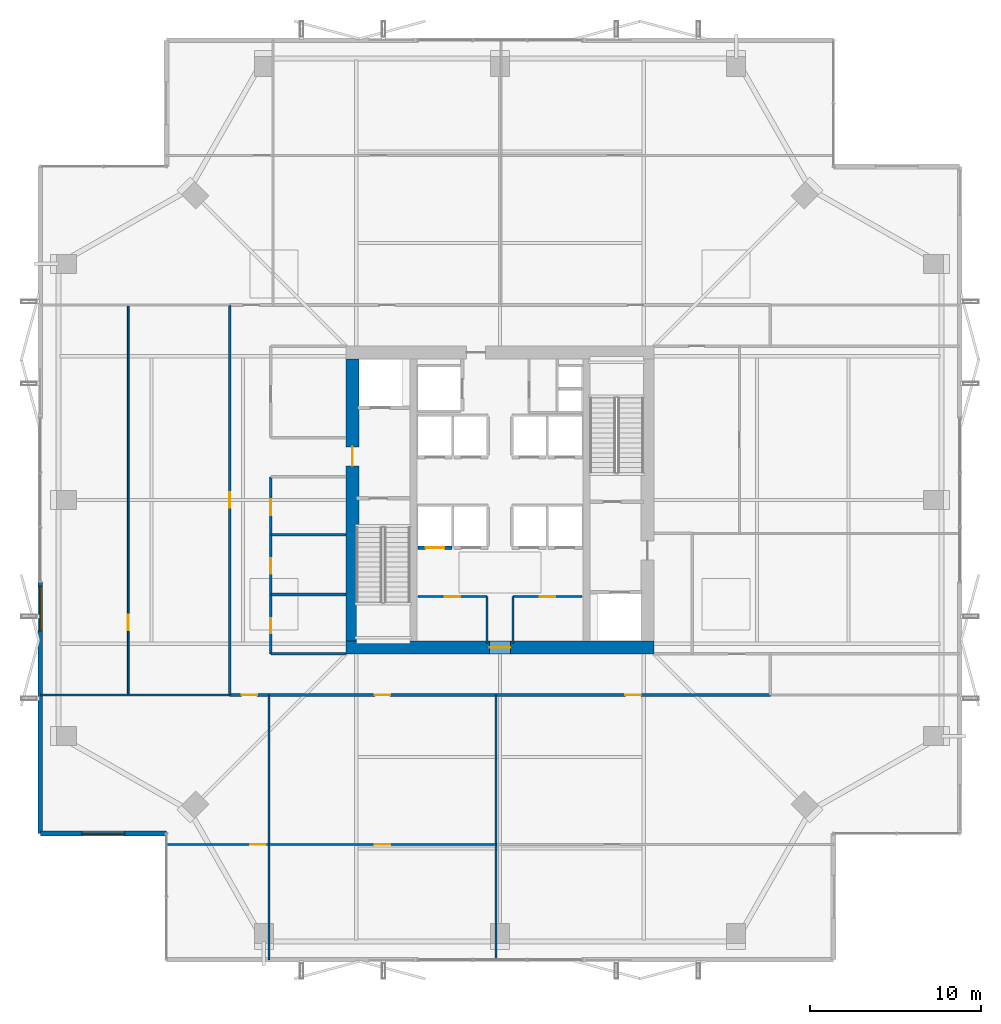
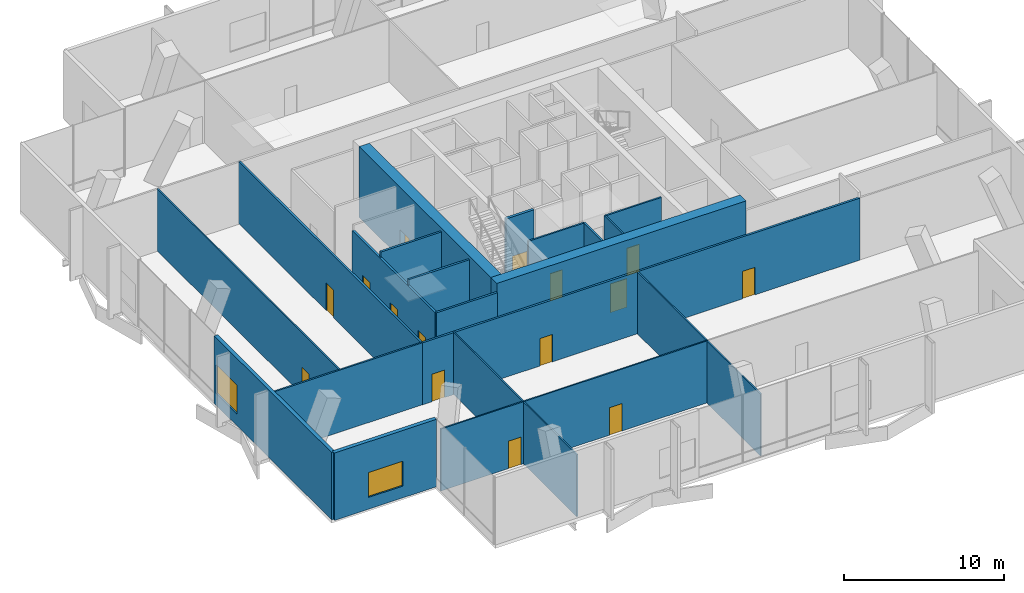
# One storey, part 29 of 33: 21 walls, 15 doors, 2 windows, 17 openings.
"""IFC4 building model written with IfcOpenShell, lengths in metres."""

from ifc_helpers import new_model, si_unit, direction, frame, frame_2d, origin, place, context, subcontext, project, spatial, rectangle, extrude, material, layer, layer_set, type_object, element, fill, save


model = new_model("IFC4")

# Units and contexts
model_context = context("Model", 3, precision=1e-05, world=origin(), true_north=direction((0.0, 1.0)))
body_context = subcontext(model_context, "Body", "Model", "MODEL_VIEW")
ifc_project = project(units=[si_unit("LENGTHUNIT", "METRE"), si_unit("AREAUNIT", "SQUARE_METRE"), si_unit("VOLUMEUNIT", "CUBIC_METRE"), si_unit("PLANEANGLEUNIT", "RADIAN"), si_unit("MASSUNIT", "GRAM", prefix="KILO")], contexts=[model_context])

# Site, building, storey
site_placement = place(None, origin())
site = spatial("IfcSite", under=ifc_project, at=site_placement, CompositionType="ELEMENT")
building_placement = place(site_placement, origin())
building = spatial("IfcBuilding", under=site, at=building_placement, Name="Belovzor Exchange Tower", CompositionType="ELEMENT")
storey_placement = place(building_placement, frame((0.0, 0.0, 241.199951171875)))
storey = spatial("IfcBuildingStorey", under=building, at=storey_placement, Name="L60", CompositionType="ELEMENT", Elevation=241.199951171875)

# Wall
ifc_material_1 = material(Name="Acoustic Plasterboard on Galvanised Studs", Category="gypsum")
ifc_layer_1 = layer(ifc_material_1, 0.1201171875)
ifc_layer_set_1 = layer_set([ifc_layer_1], Name="Acoustic Plasterboard on Galvanised Studs")
wall_type_1 = type_object("IfcWallType", Name="Acoustic Double-Stud Partition Wall 120", PredefinedType="PARTITIONING", material=ifc_layer_set_1)
wall_1_placement = place(storey_placement, frame((1.929931640625, 17.39990234375, 0.0), z_axis=(0.0, 0.0, 1.0), x_axis=(1.0, 0.0, 0.0)))
element("IfcWall", 1, at=wall_1_placement, inside=storey, type_object=wall_type_1, Name="W-P120 Partition Wall W-L60-END-SW", PredefinedType="PARTITIONING", context=body_context, shape_type="SweptSolid", body=[
    extrude(rectangle(XDim=11.070068359375, YDim=0.1201171875, at=frame_2d((5.53515625, 0.0))), origin(), (0.0, 0.0, 1.0), 4.735107421875),
])

# Wall, opening, door
ifc_material_2 = material(Name="Acoustic Laminated Glass and Aluminium", Category="aluminium")
ifc_layer_2 = layer(ifc_material_2, 0.10009765625)
ifc_layer_set_2 = layer_set([ifc_layer_2], Name="Acoustic Laminated Glass and Aluminium")
wall_type_2 = type_object("IfcWallType", Name="Demountable Executive Glass Partition 100", PredefinedType="MOVABLE", material=ifc_layer_set_2)
wall_2_placement = place(storey_placement, frame((9.300048828125, 8.6650390625, 0.0), z_axis=(0.0, 0.0, 1.0), x_axis=(1.0, 0.0, 0.0)))
wall_2 = element("IfcWall", 2, at=wall_2_placement, inside=storey, type_object=wall_type_2, Name="W-M100 Partition Wall W-L60-SHDIV-0", PredefinedType="MOVABLE", context=body_context, shape_type="SweptSolid", body=[
    extrude(rectangle(XDim=6.0, YDim=0.10009765625, at=frame_2d((3.0, 0.0))), origin(), (0.0, 0.0, 1.0), 4.735107421875),
])
opening_1_placement = place(wall_2_placement, frame((4.89990234375, 0.0, 0.0)))
opening_1 = element("IfcOpeningElement", 3, at=opening_1_placement, cuts=wall_2, Name="Opening D-INT-090", PredefinedType="OPENING", context=body_context, shape_type="SweptSolid", body=[
    extrude(rectangle(XDim=0.89990234375, YDim=2.10009765625, at=frame_2d((0.449951171875, 1.050048828125))), frame((0.0, 0.06005859375, 0.0), z_axis=(0.0, -1.0, 0.0), x_axis=(1.0, 0.0, 0.0)), (0.0, 0.0, 1.0), 0.1201171875),
])
ifc_material_3 = material(Name="Veneered Hardwood Acoustic Leaf", Category="wood")
door_type_1 = type_object("IfcDoorType", Name="Trading Suite Acoustic Single Door 900x2100", OperationType="NOTDEFINED", PredefinedType="DOOR", material=ifc_material_3)
door_1_placement = place(opening_1_placement, origin())
door_1 = element("IfcDoor", 4, at=door_1_placement, inside=storey, type_object=door_type_1, Name="D-INT-090 Trading Suite Acoustic Single Door 900x2100", OperationType="SINGLE_SWING_LEFT", OverallHeight=2.10009765625, OverallWidth=0.89990234375, PredefinedType="DOOR", context=body_context, shape_type="SweptSolid", body=[
    extrude(rectangle(XDim=0.89990234375, YDim=2.10009765625, at=frame_2d((0.449951171875, 1.050048828125))), frame((0.0, 0.02490234375, 0.0), z_axis=(0.0, -1.0, 0.0), x_axis=(1.0, 0.0, 0.0)), (0.0, 0.0, 1.0), 0.050048828125),
])
fill(opening_1, door_1)

# Wall
wall_3_placement = place(storey_placement, frame((15.300048828125, 1.929931640625, 0.0), z_axis=(0.0, 0.0, 1.0), x_axis=(0.0, 1.0, 0.0)))
element("IfcWall", 5, at=wall_3_placement, inside=storey, type_object=wall_type_2, Name="W-M100 Partition Wall W-L60-SDIV-1", PredefinedType="MOVABLE", context=body_context, shape_type="SweptSolid", body=[
    extrude(rectangle(XDim=15.469970703125, YDim=0.10009765625, at=frame_2d((7.73486328125, 0.0))), origin(), (0.0, 0.0, 1.0), 4.735107421875),
])

# Wall, opening, door
wall_4_placement = place(storey_placement, frame((15.300048828125, 8.6650390625, 0.0), z_axis=(0.0, 0.0, 1.0), x_axis=(1.0, 0.0, 0.0)))
wall_4 = element("IfcWall", 6, at=wall_4_placement, inside=storey, type_object=wall_type_2, Name="W-M100 Partition Wall W-L60-SHDIV-1", PredefinedType="MOVABLE", context=body_context, shape_type="SweptSolid", body=[
    extrude(rectangle(XDim=13.265869140625, YDim=0.10009765625, at=frame_2d((6.6328125, 0.0))), origin(), (0.0, 0.0, 1.0), 4.735107421875),
])
opening_2_placement = place(wall_4_placement, frame((6.18310546875, 0.0, 0.0)))
opening_2 = element("IfcOpeningElement", 7, at=opening_2_placement, cuts=wall_4, Name="Opening D-INT-090", PredefinedType="OPENING", context=body_context, shape_type="SweptSolid", body=[
    extrude(rectangle(XDim=0.89990234375, YDim=2.10009765625, at=frame_2d((0.449951171875, 1.050048828125))), frame((0.0, 0.06005859375, 0.0), z_axis=(0.0, -1.0, 0.0), x_axis=(1.0, 0.0, 0.0)), (0.0, 0.0, 1.0), 0.1201171875),
])
door_2_placement = place(opening_2_placement, origin())
door_2 = element("IfcDoor", 8, at=door_2_placement, inside=storey, type_object=door_type_1, Name="D-INT-090 Trading Suite Acoustic Single Door 900x2100", OperationType="SINGLE_SWING_LEFT", OverallHeight=2.10009765625, OverallWidth=0.89990234375, PredefinedType="DOOR", context=body_context, shape_type="SweptSolid", body=[
    extrude(rectangle(XDim=0.89990234375, YDim=2.10009765625, at=frame_2d((0.449951171875, 1.050048828125))), frame((0.0, 0.02490234375, 0.0), z_axis=(0.0, -1.0, 0.0), x_axis=(1.0, 0.0, 0.0)), (0.0, 0.0, 1.0), 0.050048828125),
])
fill(opening_2, door_2)

# Wall
wall_5_placement = place(storey_placement, frame((28.56591796875, 1.929931640625, 0.0), z_axis=(0.0, 0.0, 1.0), x_axis=(0.0, 1.0, 0.0)))
element("IfcWall", 9, at=wall_5_placement, inside=storey, type_object=wall_type_2, Name="W-M100 Partition Wall W-L60-SDIV-2", PredefinedType="MOVABLE", context=body_context, shape_type="SweptSolid", body=[
    extrude(rectangle(XDim=15.469970703125, YDim=0.10009765625, at=frame_2d((7.73486328125, 0.0))), origin(), (0.0, 0.0, 1.0), 4.735107421875),
])

# Wall, opening, door
wall_6_placement = place(storey_placement, frame((7.072998046875, 17.39990234375, 0.0), z_axis=(0.0, 0.0, 1.0), x_axis=(0.0, 1.0, 0.0)))
wall_6 = element("IfcWall", 10, at=wall_6_placement, inside=storey, type_object=wall_type_2, Name="W-M100 Partition Wall W-L60-WHDIV-0", PredefinedType="MOVABLE", context=body_context, shape_type="SweptSolid", body=[
    extrude(rectangle(XDim=22.800048828125, YDim=0.10009765625, at=frame_2d((11.39990234375, 0.0))), origin(), (0.0, 0.0, 1.0), 4.735107421875),
])
opening_3_placement = place(wall_6_placement, frame((3.782958984375, 0.0, 0.0)))
opening_3 = element("IfcOpeningElement", 11, at=opening_3_placement, cuts=wall_6, Name="Opening D-INT-090", PredefinedType="OPENING", context=body_context, shape_type="SweptSolid", body=[
    extrude(rectangle(XDim=0.89990234375, YDim=2.10009765625, at=frame_2d((0.449951171875, 1.050048828125))), frame((0.0, 0.06005859375, 0.0), z_axis=(0.0, -1.0, 0.0), x_axis=(1.0, 0.0, 0.0)), (0.0, 0.0, 1.0), 0.1201171875),
])
door_3_placement = place(opening_3_placement, origin())
door_3 = element("IfcDoor", 12, at=door_3_placement, inside=storey, type_object=door_type_1, Name="D-INT-090 Trading Suite Acoustic Single Door 900x2100", OperationType="SINGLE_SWING_LEFT", OverallHeight=2.10009765625, OverallWidth=0.89990234375, PredefinedType="DOOR", context=body_context, shape_type="SweptSolid", body=[
    extrude(rectangle(XDim=0.89990234375, YDim=2.10009765625, at=frame_2d((0.449951171875, 1.050048828125))), frame((0.0, 0.02490234375, 0.0), z_axis=(0.0, -1.0, 0.0), x_axis=(1.0, 0.0, 0.0)), (0.0, 0.0, 1.0), 0.050048828125),
])
fill(opening_3, door_3)

ifc_material_4 = material(Name="Fire-Rated Plasterboard on Galvanised Studs", Category="gypsum")
ifc_layer_3 = layer(ifc_material_4, 0.1201171875)
ifc_layer_set_3 = layer_set([ifc_layer_3], Name="Fire-Rated Plasterboard on Galvanised Studs")
wall_type_3 = type_object("IfcWallType", Name="Fire-Rated Double-Stud Partition Wall 120", PredefinedType="PARTITIONING", material=ifc_layer_set_3)
wall_7_placement = place(storey_placement, frame((24.0, 23.14990234375, 0.0), z_axis=(0.0, 0.0, 1.0), x_axis=(1.0, 0.0, 0.0)))
wall_7 = element("IfcWall", 13, at=wall_7_placement, inside=storey, type_object=wall_type_3, Name="W-P120F Partition Wall W-CRL-L60-WN", PredefinedType="PARTITIONING", context=body_context, shape_type="SweptSolid", body=[
    extrude(rectangle(XDim=4.050048828125, YDim=0.1201171875, at=frame_2d((2.02490234375, 0.0))), origin(), (0.0, 0.0, 1.0), 5.150146484375),
])
opening_4_placement = place(wall_7_placement, frame((1.574951171875, 0.0, 0.0)))
opening_4 = element("IfcOpeningElement", 14, at=opening_4_placement, cuts=wall_7, Name="Opening D-FD60-090", PredefinedType="OPENING", context=body_context, shape_type="SweptSolid", body=[
    extrude(rectangle(XDim=0.89990234375, YDim=2.10009765625, at=frame_2d((0.449951171875, 1.050048828125))), frame((0.0, 0.070068359375, 0.0), z_axis=(0.0, -1.0, 0.0), x_axis=(1.0, 0.0, 0.0)), (0.0, 0.0, 1.0), 0.14013671875),
])
ifc_material_5 = material(Name="Acoustic Timber Fire Leaf", Category="wood")
door_type_2 = type_object("IfcDoorType", Name="Core Service & Restroom Fire Door 900x2100", OperationType="NOTDEFINED", PredefinedType="DOOR", material=ifc_material_5)
door_4_placement = place(opening_4_placement, origin())
door_4 = element("IfcDoor", 15, at=door_4_placement, inside=storey, type_object=door_type_2, Name="D-FD60-090 Core Service & Restroom Fire Door 900x2100", OperationType="SINGLE_SWING_LEFT", OverallHeight=2.10009765625, OverallWidth=0.89990234375, PredefinedType="DOOR", context=body_context, shape_type="SweptSolid", body=[
    extrude(rectangle(XDim=0.89990234375, YDim=2.10009765625, at=frame_2d((0.449951171875, 1.050048828125))), frame((0.0, 0.02490234375, 0.0), z_axis=(0.0, -1.0, 0.0), x_axis=(1.0, 0.0, 0.0)), (0.0, 0.0, 1.0), 0.050048828125),
])
fill(opening_4, door_4)

# Wall
wall_8_placement = place(storey_placement, frame((28.050048828125, 20.39990234375, 0.0), z_axis=(0.0, 0.0, 1.0), x_axis=(0.0, 1.0, 0.0)))
element("IfcWall", 16, at=wall_8_placement, inside=storey, type_object=wall_type_3, Name="W-P120F Partition Wall W-CRL-L60-WE", PredefinedType="PARTITIONING", context=body_context, shape_type="SweptSolid", body=[
    extrude(rectangle(XDim=2.75, YDim=0.1201171875, at=frame_2d((1.375, 0.0))), origin(), (0.0, 0.0, 1.0), 5.150146484375),
])

# Wall, opening, door
wall_9_placement = place(storey_placement, frame((29.550048828125, 23.14990234375, 0.0), z_axis=(0.0, 0.0, 1.0), x_axis=(1.0, 0.0, 0.0)))
wall_9 = element("IfcWall", 17, at=wall_9_placement, inside=storey, type_object=wall_type_3, Name="W-P120F Partition Wall W-CRL-L60-EN", PredefinedType="PARTITIONING", context=body_context, shape_type="SweptSolid", body=[
    extrude(rectangle(XDim=4.050048828125, YDim=0.1201171875, at=frame_2d((2.02490234375, 0.0))), origin(), (0.0, 0.0, 1.0), 5.150146484375),
])
opening_5_placement = place(wall_9_placement, frame((1.574951171875, 0.0, 0.0)))
opening_5 = element("IfcOpeningElement", 18, at=opening_5_placement, cuts=wall_9, Name="Opening D-FD60-090", PredefinedType="OPENING", context=body_context, shape_type="SweptSolid", body=[
    extrude(rectangle(XDim=0.89990234375, YDim=2.10009765625, at=frame_2d((0.449951171875, 1.050048828125))), frame((0.0, 0.070068359375, 0.0), z_axis=(0.0, -1.0, 0.0), x_axis=(1.0, 0.0, 0.0)), (0.0, 0.0, 1.0), 0.14013671875),
])
door_5_placement = place(opening_5_placement, origin())
door_5 = element("IfcDoor", 19, at=door_5_placement, inside=storey, type_object=door_type_2, Name="D-FD60-090 Core Service & Restroom Fire Door 900x2100", OperationType="SINGLE_SWING_RIGHT", OverallHeight=2.10009765625, OverallWidth=0.89990234375, PredefinedType="DOOR", context=body_context, shape_type="SweptSolid", body=[
    extrude(rectangle(XDim=0.89990234375, YDim=2.10009765625, at=frame_2d((0.449951171875, 1.050048828125))), frame((0.0, 0.02490234375, 0.0), z_axis=(0.0, -1.0, 0.0), x_axis=(1.0, 0.0, 0.0)), (0.0, 0.0, 1.0), 0.050048828125),
])
fill(opening_5, door_5)

# Walls
wall_10_placement = place(storey_placement, frame((29.550048828125, 20.39990234375, 0.0), z_axis=(0.0, 0.0, 1.0), x_axis=(0.0, 1.0, 0.0)))
element("IfcWall", 20, at=wall_10_placement, inside=storey, type_object=wall_type_3, Name="W-P120F Partition Wall W-CRL-L60-EW", PredefinedType="PARTITIONING", context=body_context, shape_type="SweptSolid", body=[
    extrude(rectangle(XDim=2.75, YDim=0.1201171875, at=frame_2d((1.375, 0.0))), origin(), (0.0, 0.0, 1.0), 5.150146484375),
])
ifc_material_6 = material(Name="Fire-Rated Gypsum Block and Mineral Wool", Category="gypsum")
ifc_layer_4 = layer(ifc_material_6, 0.14990234375)
ifc_layer_set_4 = layer_set([ifc_layer_4], Name="Fire-Rated Gypsum Block and Mineral Wool")
wall_type_4 = type_object("IfcWallType", Name="Fire-Rated Gypsum Block Corridor Wall 150", PredefinedType="PARTITIONING", material=ifc_layer_set_4)
wall_11_placement = place(storey_placement, frame((15.39990234375, 19.800048828125, 0.0), z_axis=(0.0, 0.0, 1.0), x_axis=(1.0, 0.0, 0.0)))
element("IfcWall", 21, at=wall_11_placement, inside=storey, type_object=wall_type_4, Name="W-P150 Partition Wall W-L60-WIC-S", PredefinedType="PARTITIONING", context=body_context, shape_type="SweptSolid", body=[
    extrude(rectangle(XDim=4.400146484375, YDim=0.14990234375, at=frame_2d((2.2001953125, 0.0))), origin(), (0.0, 0.0, 1.0), 4.735107421875),
])
for number, where, z_axis, x_axis, name in (
    (22, (15.39990234375, 23.27490234375, 0.0), (0.0, 0.0, 1.0), (1.0, 0.0, 0.0), "W-P150 Partition Wall W-L60-WIC-D1"),
    (23, (15.39990234375, 26.77490234375, 0.0), (0.0, 0.0, 1.0), (1.0, 0.0, 0.0), "W-P150 Partition Wall W-L60-WIC-D2"),
):
    element("IfcWall", number, at=place(storey_placement, frame(where, z_axis=z_axis, x_axis=x_axis)), inside=storey, type_object=wall_type_4, Name=name, PredefinedType="PARTITIONING", context=body_context, shape_type="SweptSolid", body=[
        extrude(rectangle(XDim=4.400146484375, YDim=0.14990234375, at=frame_2d((2.2001953125, 0.0))), origin(), (0.0, 0.0, 1.0), 5.150146484375),
    ])

# Wall, openings, doors
wall_12_placement = place(storey_placement, frame((15.39990234375, 19.800048828125, 0.0), z_axis=(0.0, 0.0, 1.0), x_axis=(0.0, 1.0, 0.0)))
wall_12 = element("IfcWall", 24, at=wall_12_placement, inside=storey, type_object=wall_type_4, Name="W-P150 Partition Wall W-L60-WIE-S", PredefinedType="PARTITIONING", context=body_context, shape_type="SweptSolid", body=[
    extrude(rectangle(XDim=10.349853515625, YDim=0.14990234375, at=frame_2d((5.1748046875, 0.0))), origin(), (0.0, 0.0, 1.0), 4.735107421875),
])
opening_6_placement = place(wall_12_placement, frame((1.199951171875, 0.0, 0.0)))
opening_6 = element("IfcOpeningElement", 25, at=opening_6_placement, cuts=wall_12, Name="Opening D-FD60-090", PredefinedType="OPENING", context=body_context, shape_type="SweptSolid", body=[
    extrude(rectangle(XDim=0.89990234375, YDim=2.10009765625, at=frame_2d((0.449951171875, 1.050048828125))), frame((0.0, 0.0849609375, 0.0), z_axis=(0.0, -1.0, 0.0), x_axis=(1.0, 0.0, 0.0)), (0.0, 0.0, 1.0), 0.169921875),
])
opening_7_placement = place(wall_12_placement, frame((4.699951171875, 0.0, 0.0)))
opening_7 = element("IfcOpeningElement", 26, at=opening_7_placement, cuts=wall_12, Name="Opening D-FD60-090", PredefinedType="OPENING", context=body_context, shape_type="SweptSolid", body=[
    extrude(rectangle(XDim=0.89990234375, YDim=2.10009765625, at=frame_2d((0.449951171875, 1.050048828125))), frame((0.0, 0.0849609375, 0.0), z_axis=(0.0, -1.0, 0.0), x_axis=(1.0, 0.0, 0.0)), (0.0, 0.0, 1.0), 0.169921875),
])
opening_8_placement = place(wall_12_placement, frame((8.10009765625, 0.0, 0.0)))
opening_8 = element("IfcOpeningElement", 27, at=opening_8_placement, cuts=wall_12, Name="Opening D-FD60-095", PredefinedType="OPENING", context=body_context, shape_type="SweptSolid", body=[
    extrude(rectangle(XDim=0.949951171875, YDim=2.10009765625, at=frame_2d((0.47509765625, 1.050048828125))), frame((0.0, 0.0849609375, 0.0), z_axis=(0.0, -1.0, 0.0), x_axis=(1.0, 0.0, 0.0)), (0.0, 0.0, 1.0), 0.169921875),
])
ifc_material_7 = material(Name="Moisture-Resistant Timber Fire Leaf", Category="wood")
door_type_3 = type_object("IfcDoorType", Name="Accessible Restroom Wide Fire Door 950x2100", OperationType="NOTDEFINED", PredefinedType="DOOR", material=ifc_material_7)
door_6_placement = place(opening_8_placement, origin())
door_6 = element("IfcDoor", 28, at=door_6_placement, inside=storey, type_object=door_type_3, Name="D-FD60-095 Accessible Restroom Wide Fire Door 950x2100", OperationType="SINGLE_SWING_LEFT", OverallHeight=2.10009765625, OverallWidth=0.949951171875, PredefinedType="DOOR", context=body_context, shape_type="SweptSolid", body=[
    extrude(rectangle(XDim=0.949951171875, YDim=2.10009765625, at=frame_2d((0.47509765625, 1.050048828125))), frame((0.0, 0.02490234375, 0.0), z_axis=(0.0, -1.0, 0.0), x_axis=(1.0, 0.0, 0.0)), (0.0, 0.0, 1.0), 0.050048828125),
])
fill(opening_8, door_6)
door_7_placement = place(opening_6_placement, origin())
door_7 = element("IfcDoor", 29, at=door_7_placement, inside=storey, type_object=door_type_2, Name="D-FD60-090 Core Service & Restroom Fire Door 900x2100", OperationType="SINGLE_SWING_LEFT", OverallHeight=2.10009765625, OverallWidth=0.89990234375, PredefinedType="DOOR", context=body_context, shape_type="SweptSolid", body=[
    extrude(rectangle(XDim=0.89990234375, YDim=2.10009765625, at=frame_2d((0.449951171875, 1.050048828125))), frame((0.0, 0.02490234375, 0.0), z_axis=(0.0, -1.0, 0.0), x_axis=(1.0, 0.0, 0.0)), (0.0, 0.0, 1.0), 0.050048828125),
])
fill(opening_6, door_7)
door_8_placement = place(opening_7_placement, origin())
door_8 = element("IfcDoor", 30, at=door_8_placement, inside=storey, type_object=door_type_2, Name="D-FD60-090 Core Service & Restroom Fire Door 900x2100", OperationType="SINGLE_SWING_RIGHT", OverallHeight=2.10009765625, OverallWidth=0.89990234375, PredefinedType="DOOR", context=body_context, shape_type="SweptSolid", body=[
    extrude(rectangle(XDim=0.89990234375, YDim=2.10009765625, at=frame_2d((0.449951171875, 1.050048828125))), frame((0.0, 0.02490234375, 0.0), z_axis=(0.0, -1.0, 0.0), x_axis=(1.0, 0.0, 0.0)), (0.0, 0.0, 1.0), 0.050048828125),
])
fill(opening_7, door_8)

wall_13_placement = place(storey_placement, frame((13.0, 17.39990234375, 0.0), z_axis=(0.0, 0.0, 1.0), x_axis=(1.0, 0.0, 0.0)))
wall_13 = element("IfcWall", 31, at=wall_13_placement, inside=storey, type_object=wall_type_4, Name="W-P150 Partition Wall W-L60-CS", PredefinedType="PARTITIONING", context=body_context, shape_type="SweptSolid", body=[
    extrude(rectangle(XDim=31.60009765625, YDim=0.14990234375, at=frame_2d((15.800048828125, 0.0))), origin(), (0.0, 0.0, 1.0), 4.735107421875),
])
opening_9_placement = place(wall_13_placement, frame((0.699951171875, 0.0, 0.0)))
opening_9 = element("IfcOpeningElement", 32, at=opening_9_placement, cuts=wall_13, Name="Opening D-INT-090", PredefinedType="OPENING", context=body_context, shape_type="SweptSolid", body=[
    extrude(rectangle(XDim=0.89990234375, YDim=2.10009765625, at=frame_2d((0.449951171875, 1.050048828125))), frame((0.0, 0.0849609375, 0.0), z_axis=(0.0, -1.0, 0.0), x_axis=(1.0, 0.0, 0.0)), (0.0, 0.0, 1.0), 0.169921875),
])
opening_10_placement = place(wall_13_placement, frame((8.48291015625, 0.0, 0.0)))
opening_10 = element("IfcOpeningElement", 33, at=opening_10_placement, cuts=wall_13, Name="Opening D-INT-090", PredefinedType="OPENING", context=body_context, shape_type="SweptSolid", body=[
    extrude(rectangle(XDim=0.89990234375, YDim=2.10009765625, at=frame_2d((0.449951171875, 1.050048828125))), frame((0.0, 0.0849609375, 0.0), z_axis=(0.0, -1.0, 0.0), x_axis=(1.0, 0.0, 0.0)), (0.0, 0.0, 1.0), 0.169921875),
])
opening_11_placement = place(wall_13_placement, frame((23.133056640625, 0.0, 0.0)))
opening_11 = element("IfcOpeningElement", 34, at=opening_11_placement, cuts=wall_13, Name="Opening D-INT-090", PredefinedType="OPENING", context=body_context, shape_type="SweptSolid", body=[
    extrude(rectangle(XDim=0.89990234375, YDim=2.10009765625, at=frame_2d((0.449951171875, 1.050048828125))), frame((0.0, 0.0849609375, 0.0), z_axis=(0.0, -1.0, 0.0), x_axis=(1.0, 0.0, 0.0)), (0.0, 0.0, 1.0), 0.169921875),
])
door_9_placement = place(opening_9_placement, origin())
door_9 = element("IfcDoor", 35, at=door_9_placement, inside=storey, type_object=door_type_1, Name="D-INT-090 Trading Suite Acoustic Single Door 900x2100", OperationType="SINGLE_SWING_LEFT", OverallHeight=2.10009765625, OverallWidth=0.89990234375, PredefinedType="DOOR", context=body_context, shape_type="SweptSolid", body=[
    extrude(rectangle(XDim=0.89990234375, YDim=2.10009765625, at=frame_2d((0.449951171875, 1.050048828125))), frame((0.0, 0.02490234375, 0.0), z_axis=(0.0, -1.0, 0.0), x_axis=(1.0, 0.0, 0.0)), (0.0, 0.0, 1.0), 0.050048828125),
])
fill(opening_9, door_9)
door_10_placement = place(opening_10_placement, origin())
door_10 = element("IfcDoor", 36, at=door_10_placement, inside=storey, type_object=door_type_1, Name="D-INT-090 Trading Suite Acoustic Single Door 900x2100", OperationType="SINGLE_SWING_RIGHT", OverallHeight=2.10009765625, OverallWidth=0.89990234375, PredefinedType="DOOR", context=body_context, shape_type="SweptSolid", body=[
    extrude(rectangle(XDim=0.89990234375, YDim=2.10009765625, at=frame_2d((0.449951171875, 1.050048828125))), frame((0.0, 0.02490234375, 0.0), z_axis=(0.0, -1.0, 0.0), x_axis=(1.0, 0.0, 0.0)), (0.0, 0.0, 1.0), 0.050048828125),
])
fill(opening_10, door_10)
door_11_placement = place(opening_11_placement, origin())
door_11 = element("IfcDoor", 37, at=door_11_placement, inside=storey, type_object=door_type_1, Name="D-INT-090 Trading Suite Acoustic Single Door 900x2100", OperationType="SINGLE_SWING_LEFT", OverallHeight=2.10009765625, OverallWidth=0.89990234375, PredefinedType="DOOR", context=body_context, shape_type="SweptSolid", body=[
    extrude(rectangle(XDim=0.89990234375, YDim=2.10009765625, at=frame_2d((0.449951171875, 1.050048828125))), frame((0.0, 0.02490234375, 0.0), z_axis=(0.0, -1.0, 0.0), x_axis=(1.0, 0.0, 0.0)), (0.0, 0.0, 1.0), 0.050048828125),
])
fill(opening_11, door_11)

# Wall, opening, door
wall_14_placement = place(storey_placement, frame((13.0, 17.39990234375, 0.0), z_axis=(0.0, 0.0, 1.0), x_axis=(0.0, 1.0, 0.0)))
wall_14 = element("IfcWall", 38, at=wall_14_placement, inside=storey, type_object=wall_type_4, Name="W-P150 Partition Wall W-L60-CWO", PredefinedType="PARTITIONING", context=body_context, shape_type="SweptSolid", body=[
    extrude(rectangle(XDim=22.800048828125, YDim=0.14990234375, at=frame_2d((11.39990234375, 0.0))), origin(), (0.0, 0.0, 1.0), 4.735107421875),
])
opening_12_placement = place(wall_14_placement, frame((10.949951171875, 0.0, 0.0)))
opening_12 = element("IfcOpeningElement", 39, at=opening_12_placement, cuts=wall_14, Name="Opening D-INT-090", PredefinedType="OPENING", context=body_context, shape_type="SweptSolid", body=[
    extrude(rectangle(XDim=0.89990234375, YDim=2.10009765625, at=frame_2d((0.449951171875, 1.050048828125))), frame((0.0, 0.0849609375, 0.0), z_axis=(0.0, -1.0, 0.0), x_axis=(1.0, 0.0, 0.0)), (0.0, 0.0, 1.0), 0.169921875),
])
door_12_placement = place(opening_12_placement, origin())
door_12 = element("IfcDoor", 40, at=door_12_placement, inside=storey, type_object=door_type_1, Name="D-INT-090 Trading Suite Acoustic Single Door 900x2100", OperationType="SINGLE_SWING_LEFT", OverallHeight=2.10009765625, OverallWidth=0.89990234375, PredefinedType="DOOR", context=body_context, shape_type="SweptSolid", body=[
    extrude(rectangle(XDim=0.89990234375, YDim=2.10009765625, at=frame_2d((0.449951171875, 1.050048828125))), frame((0.0, 0.02490234375, 0.0), z_axis=(0.0, -1.0, 0.0), x_axis=(1.0, 0.0, 0.0)), (0.0, 0.0, 1.0), 0.050048828125),
])
fill(opening_12, door_12)

# Wall, opening, window
ifc_material_8 = material(Name="Precast concrete C40/50", Category="concrete")
ifc_layer_5 = layer(ifc_material_8, 0.280029296875)
ifc_layer_set_5 = layer_set([ifc_layer_5], Name="Precast concrete C40/50")
wall_type_5 = type_object("IfcWallType", Name="Precast Concrete Notched Corner Frame Wall 280", PredefinedType="SOLIDWALL", material=ifc_layer_set_5)
wall_15_placement = place(storey_placement, frame((9.300048828125, 9.300048828125, 0.0), z_axis=(0.0, 0.0, 1.0), x_axis=(-1.0, 0.0, 0.0)))
wall_15 = element("IfcWall", 41, at=wall_15_placement, inside=storey, type_object=wall_type_5, Name="W-CRN280 Precast Concrete Notched Corner Frame Wall 280 L60", PredefinedType="SOLIDWALL", context=body_context, shape_type="SweptSolid", body=[
    extrude(rectangle(XDim=7.3701171875, YDim=0.280029296875, at=frame_2d((3.68505859375, 0.0))), origin(), (0.0, 0.0, 1.0), 5.150146484375),
])
opening_13_placement = place(wall_15_placement, frame((2.43505859375, 0.0, 0.89990234375)))
opening_13 = element("IfcOpeningElement", 42, at=opening_13_placement, cuts=wall_15, Name="Opening WN-CRN250", PredefinedType="OPENING", context=body_context, shape_type="SweptSolid", body=[
    extrude(rectangle(XDim=2.5, YDim=1.89990234375, at=frame_2d((1.25, 0.949951171875))), frame((0.0, 0.14990234375, 0.0), z_axis=(0.0, -1.0, 0.0), x_axis=(1.0, 0.0, 0.0)), (0.0, 0.0, 1.0), 0.300048828125),
])
ifc_material_9 = material(Name="Thermally Broken Aluminium and Triple Glazing", Category="aluminium")
window_type_1 = type_object("IfcWindowType", Name="Streamline Moderne Corner Wrap Ribbon Window 2500x1900", PartitioningType="SINGLE_PANEL", PredefinedType="WINDOW", material=ifc_material_9)
window_1_placement = place(opening_13_placement, origin())
window_1 = element("IfcWindow", 43, at=window_1_placement, inside=storey, type_object=window_type_1, Name="WN-CRN250 Streamline Moderne Corner Wrap Ribbon Window 2500x1900", OverallHeight=1.89990234375, OverallWidth=2.5, PartitioningType="SINGLE_PANEL", PredefinedType="WINDOW", context=body_context, shape_type="SweptSolid", body=[
    extrude(rectangle(XDim=2.5, YDim=1.89990234375, at=frame_2d((1.25, 0.949951171875))), frame((0.0, 0.030029296875, 0.0), z_axis=(0.0, -1.0, 0.0), x_axis=(1.0, 0.0, 0.0)), (0.0, 0.0, 1.0), 0.06005859375),
])
fill(opening_13, window_1)

ifc_material_10 = material(Name="Precast concrete C40/50", Category="concrete")
ifc_layer_6 = layer(ifc_material_10, 0.260009765625)
ifc_layer_set_6 = layer_set([ifc_layer_6], Name="Precast concrete C40/50")
wall_type_6 = type_object("IfcWallType", Name="Precast Concrete Perimeter Loggia Frame Wall 260", PredefinedType="SOLIDWALL", material=ifc_layer_set_6)
wall_16_placement = place(storey_placement, frame((1.929931640625, 9.300048828125, 0.0), z_axis=(0.0, 0.0, 1.0), x_axis=(0.0, 1.0, 0.0)))
wall_16 = element("IfcWall", 44, at=wall_16_placement, inside=storey, type_object=wall_type_6, Name="W-EXT260 Precast Concrete Perimeter Loggia Frame Wall 260 L60", PredefinedType="SOLIDWALL", context=body_context, shape_type="SweptSolid", body=[
    extrude(rectangle(XDim=14.699951171875, YDim=0.260009765625, at=frame_2d((7.35009765625, 0.0))), origin(), (0.0, 0.0, 1.0), 5.150146484375),
])
opening_14_placement = place(wall_16_placement, frame((11.85009765625, 0.0, 0.89990234375)))
opening_14 = element("IfcOpeningElement", 45, at=opening_14_placement, cuts=wall_16, Name="Opening WN-LOG260", PredefinedType="OPENING", context=body_context, shape_type="SweptSolid", body=[
    extrude(rectangle(XDim=2.60009765625, YDim=2.199951171875, at=frame_2d((1.300048828125, 1.10009765625))), frame((0.0, 0.139892578125, 0.0), z_axis=(0.0, -1.0, 0.0), x_axis=(1.0, 0.0, 0.0)), (0.0, 0.0, 1.0), 0.280029296875),
])
ifc_material_11 = material(Name="Thermally Broken Aluminium and Triple Glazing", Category="aluminium")
window_type_2 = type_object("IfcWindowType", Name="Sky-Lobby Panoramic Window 2600x2200", PartitioningType="SINGLE_PANEL", PredefinedType="WINDOW", material=ifc_material_11)
window_2_placement = place(opening_14_placement, origin())
window_2 = element("IfcWindow", 46, at=window_2_placement, inside=storey, type_object=window_type_2, Name="WN-LOG260 Sky-Lobby Panoramic Window 2600x2200", OverallHeight=2.199951171875, OverallWidth=2.60009765625, PartitioningType="SINGLE_PANEL", PredefinedType="WINDOW", context=body_context, shape_type="SweptSolid", body=[
    extrude(rectangle(XDim=2.60009765625, YDim=2.199951171875, at=frame_2d((1.300048828125, 1.10009765625))), frame((0.0, 0.030029296875, 0.0), z_axis=(0.0, -1.0, 0.0), x_axis=(1.0, 0.0, 0.0)), (0.0, 0.0, 1.0), 0.06005859375),
])
fill(opening_14, window_2)

# Wall, opening, door
ifc_material_12 = material(Name="Concrete C50/60", Category="concrete")
ifc_layer_7 = layer(ifc_material_12, 0.199951171875)
ifc_layer_set_7 = layer_set([ifc_layer_7], Name="Concrete C50/60")
wall_type_7 = type_object("IfcWallType", Name="Reinforced Concrete Core Shaft Shear Wall 200", PredefinedType="SHEAR", material=ifc_layer_set_7)
wall_17_placement = place(storey_placement, frame((24.0, 26.0, 0.0), z_axis=(0.0, 0.0, 1.0), x_axis=(1.0, 0.0, 0.0)))
wall_17 = element("IfcWall", 47, at=wall_17_placement, inside=storey, type_object=wall_type_7, Name="W-C200S Core Shaft Wall W-SH-L60-PL-M1", PredefinedType="SHEAR", context=body_context, shape_type="SweptSolid", body=[
    extrude(rectangle(XDim=2.0, YDim=0.199951171875, at=frame_2d((1.0, 0.0))), origin(), (0.0, 0.0, 1.0), 5.150146484375),
])
opening_15_placement = place(wall_17_placement, frame((0.449951171875, 0.0, 0.0)))
opening_15 = element("IfcOpeningElement", 48, at=opening_15_placement, cuts=wall_17, Name="Opening LD-110", PredefinedType="OPENING", context=body_context, shape_type="SweptSolid", body=[
    extrude(rectangle(XDim=1.10009765625, YDim=2.14990234375, at=frame_2d((0.550048828125, 1.074951171875))), frame((0.0, 0.10986328125, 0.0), z_axis=(0.0, -1.0, 0.0), x_axis=(1.0, 0.0, 0.0)), (0.0, 0.0, 1.0), 0.219970703125),
])
ifc_material_13 = material(Name="Stainless Steel Grade 304", Category="steel")
door_type_4 = type_object("IfcDoorType", Name="Automated Stainless Steel Lift Landing Door 1100x2150", OperationType="SLIDING_TO_RIGHT", PredefinedType="DOOR", material=ifc_material_13)
door_13_placement = place(opening_15_placement, origin())
door_13 = element("IfcDoor", 49, at=door_13_placement, inside=storey, type_object=door_type_4, Name="LD-110 Automated Stainless Steel Lift Landing Door 1100x2150", OperationType="SLIDING_TO_RIGHT", OverallHeight=2.14990234375, OverallWidth=1.10009765625, PredefinedType="DOOR", context=body_context, shape_type="SweptSolid", body=[
    extrude(rectangle(XDim=1.10009765625, YDim=2.14990234375, at=frame_2d((0.550048828125, 1.074951171875))), frame((0.0, 0.02490234375, 0.0), z_axis=(0.0, -1.0, 0.0), x_axis=(1.0, 0.0, 0.0)), (0.0, 0.0, 1.0), 0.050048828125),
])
fill(opening_15, door_13)

ifc_material_14 = material(Name="Concrete C50/60", Category="concrete")
ifc_layer_8 = layer(ifc_material_14, 0.75)
ifc_layer_set_8 = layer_set([ifc_layer_8], Name="Concrete C50/60")
wall_type_8 = type_object("IfcWallType", Name="Reinforced Concrete Core Shear Wall 750", PredefinedType="SHEAR", material=ifc_layer_set_8)
wall_18_placement = place(storey_placement, frame((19.800048828125, 20.175048828125, 0.0), z_axis=(0.0, 0.0, 1.0), x_axis=(1.0, 0.0, 0.0)))
wall_18 = element("IfcWall", 50, at=wall_18_placement, inside=storey, type_object=wall_type_8, Name="CW-S075 Core Shear Wall L60 S", PredefinedType="SHEAR", context=body_context, shape_type="SweptSolid", body=[
    extrude(rectangle(XDim=18.0, YDim=0.75, at=frame_2d((9.0, 0.0))), origin(), (0.0, 0.0, 1.0), 5.400146484375),
])
opening_16_placement = place(wall_18_placement, frame((8.39990234375, 0.0, 0.0)))
opening_16 = element("IfcOpeningElement", 51, at=opening_16_placement, cuts=wall_18, Name="Opening D-FD90-120", PredefinedType="OPENING", context=body_context, shape_type="SweptSolid", body=[
    extrude(rectangle(XDim=1.199951171875, YDim=2.199951171875, at=frame_2d((0.60009765625, 1.10009765625))), frame((0.0, 0.385009765625, 0.0), z_axis=(0.0, -1.0, 0.0), x_axis=(1.0, 0.0, 0.0)), (0.0, 0.0, 1.0), 0.77001953125),
])
ifc_material_15 = material(Name="Fire-Rated Galvanised Steel Leaf", Category="steel")
door_type_5 = type_object("IfcDoorType", Name="Heavy Plant & Foyer Fire Door 1200x2200", OperationType="NOTDEFINED", PredefinedType="DOOR", material=ifc_material_15)
door_14_placement = place(opening_16_placement, origin())
door_14 = element("IfcDoor", 52, at=door_14_placement, inside=storey, type_object=door_type_5, Name="D-FD90-120 Heavy Plant & Foyer Fire Door 1200x2200", OperationType="SINGLE_SWING_LEFT", OverallHeight=2.199951171875, OverallWidth=1.199951171875, PredefinedType="DOOR", context=body_context, shape_type="SweptSolid", body=[
    extrude(rectangle(XDim=1.199951171875, YDim=2.199951171875, at=frame_2d((0.60009765625, 1.10009765625))), frame((0.0, 0.02490234375, 0.0), z_axis=(0.0, -1.0, 0.0), x_axis=(1.0, 0.0, 0.0)), (0.0, 0.0, 1.0), 0.050048828125),
])
fill(opening_16, door_14)

wall_19_placement = place(storey_placement, frame((20.175048828125, 20.550048828125, 0.0), z_axis=(0.0, 0.0, 1.0), x_axis=(0.0, 1.0, 0.0)))
wall_19 = element("IfcWall", 53, at=wall_19_placement, inside=storey, type_object=wall_type_8, Name="CW-S075 Core Shear Wall L60 W", PredefinedType="SHEAR", context=body_context, shape_type="SweptSolid", body=[
    extrude(rectangle(XDim=16.5, YDim=0.75, at=frame_2d((8.25, 0.0))), origin(), (0.0, 0.0, 1.0), 5.400146484375),
])
opening_17_placement = place(wall_19_placement, frame((10.25, 0.0, 0.0)))
opening_17 = element("IfcOpeningElement", 54, at=opening_17_placement, cuts=wall_19, Name="Opening D-FD90-110", PredefinedType="OPENING", context=body_context, shape_type="SweptSolid", body=[
    extrude(rectangle(XDim=1.10009765625, YDim=2.14990234375, at=frame_2d((0.550048828125, 1.074951171875))), frame((0.0, 0.385009765625, 0.0), z_axis=(0.0, -1.0, 0.0), x_axis=(1.0, 0.0, 0.0)), (0.0, 0.0, 1.0), 0.77001953125),
])
ifc_material_16 = material(Name="Fire-Rated Galvanised Steel Leaf", Category="steel")
door_type_6 = type_object("IfcDoorType", Name="Protected Escape Vestibule Fire Door 1100x2150", OperationType="NOTDEFINED", PredefinedType="DOOR", material=ifc_material_16)
door_15_placement = place(opening_17_placement, origin())
door_15 = element("IfcDoor", 55, at=door_15_placement, inside=storey, type_object=door_type_6, Name="D-FD90-110 Protected Escape Vestibule Fire Door 1100x2150", OperationType="SINGLE_SWING_LEFT", OverallHeight=2.14990234375, OverallWidth=1.10009765625, PredefinedType="DOOR", context=body_context, shape_type="SweptSolid", body=[
    extrude(rectangle(XDim=1.10009765625, YDim=2.14990234375, at=frame_2d((0.550048828125, 1.074951171875))), frame((0.0, 0.02490234375, 0.0), z_axis=(0.0, -1.0, 0.0), x_axis=(1.0, 0.0, 0.0)), (0.0, 0.0, 1.0), 0.050048828125),
])
fill(opening_17, door_15)

save(model, "model.ifc")
